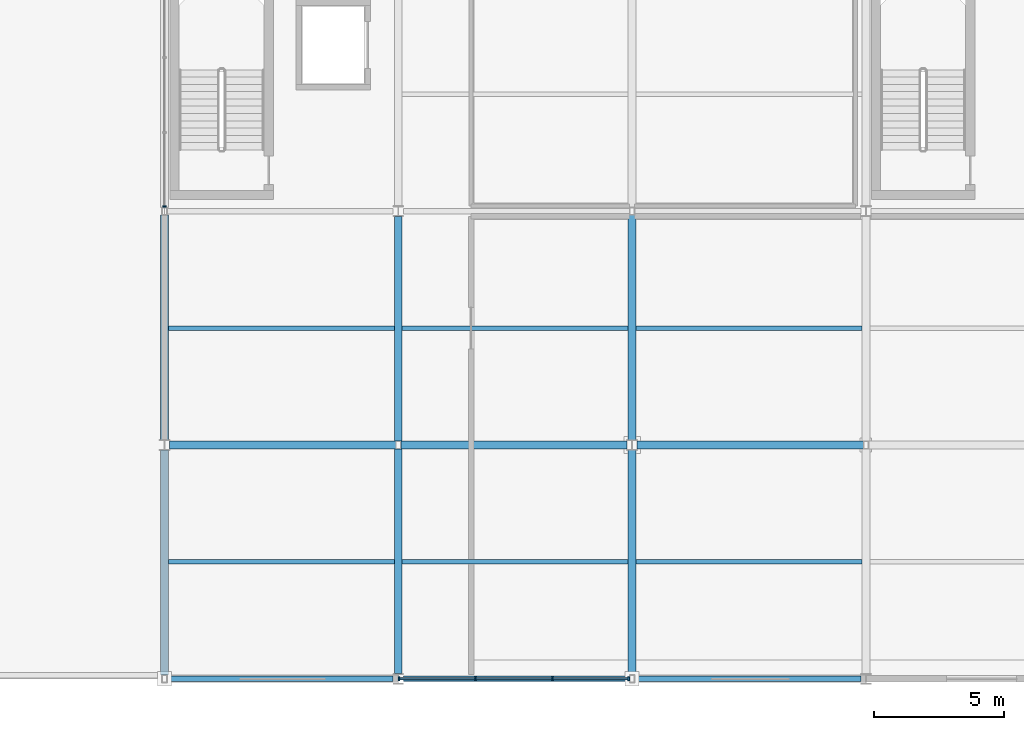
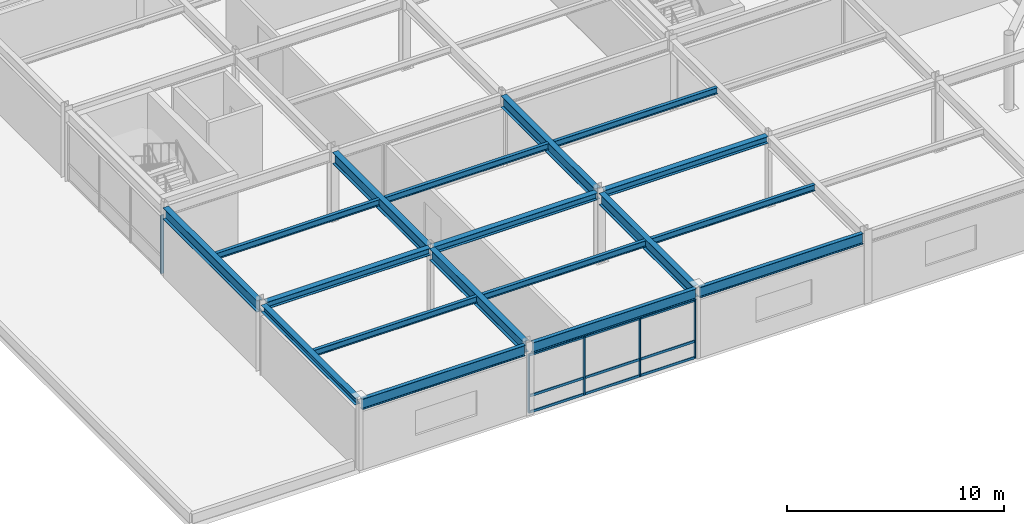
# One storey, part 49 of 105: 18 beams, 14 members, 2 elements without a shape of their own.
"""IFC4 building model written with IfcOpenShell, lengths in metres."""

from ifc_helpers import new_model, si_unit, direction, frame, origin, origin_2d, place, context, subcontext, project, spatial, rectangle, i_section, extrude, material, material_profile, profile_set, type_object, element, aggregate, save


model = new_model("IFC4")

# Units and contexts
model_context = context("Model", 3, precision=1e-05, world=origin(), true_north=direction((0.0, 1.0)))
body_context = subcontext(model_context, "Body", "Model", "MODEL_VIEW")
ifc_project = project(units=[si_unit("LENGTHUNIT", "METRE"), si_unit("AREAUNIT", "SQUARE_METRE"), si_unit("VOLUMEUNIT", "CUBIC_METRE"), si_unit("PLANEANGLEUNIT", "RADIAN"), si_unit("MASSUNIT", "GRAM", prefix="KILO")], contexts=[model_context])

# Site, building, storey
site_placement = place(None, origin())
site = spatial("IfcSite", under=ifc_project, at=site_placement, CompositionType="ELEMENT")
building_placement = place(site_placement, origin())
building = spatial("IfcBuilding", under=site, at=building_placement, Name="Suzunagisa Mobility Hub", CompositionType="ELEMENT")
storey_placement = place(building_placement, frame((0.0, 0.0, 5.10009765625)))
storey = spatial("IfcBuildingStorey", under=building, at=storey_placement, Name="L01", CompositionType="ELEMENT", Elevation=5.10009765625)

# Curtain wall, members
ifc_material_1 = material(Name="Thermally Broken Anodized Aluminum and Low-E Glazing", Category="aluminium")
curtain_wall_type_1 = type_object("IfcCurtainWallType", Name="Unitised Curtain Wall CW-11 9000x3300", PredefinedType="USERDEFINED", material=ifc_material_1)
curtain_wall_1_placement = place(storey_placement, origin())
curtain_wall_1 = element("IfcCurtainWall", 1, at=curtain_wall_1_placement, inside=storey, type_object=curtain_wall_type_1, Name="L01 Unitised Curtain Wall CW-149", ObjectType="UNITISED CURTAIN WALL", PredefinedType="USERDEFINED")
ifc_material_2 = material(Name="Anodized Aluminum 6063-T6", Category="aluminium")
ifc_material_profile_1 = material_profile(ifc_material_2, rectangle(XDim=0.06494140625, YDim=0.139892578125, at=origin_2d()), Name="TRAN-65x140")
ifc_profile_set_1 = profile_set([ifc_material_profile_1], Name="Anodized Aluminum 6063-T6")
member_type_1 = type_object("IfcMemberType", Name="Curtain Wall Framing CM-01 TRAN-65x140", PredefinedType="USERDEFINED", material=ifc_profile_set_1)
member_1_placement = place(storey_placement, frame((144.0625, 0.0, 0.032470703125), z_axis=(1.0, 0.0, 0.0), x_axis=(0.0, 1.0, 0.0)))
member_1 = element("IfcMember", 2, at=member_1_placement, type_object=member_type_1, Name="Curtain Wall Transom 149-T1.1", ObjectType="TRANSOM", PredefinedType="USERDEFINED", context=body_context, shape_type="SweptSolid", body=[
    extrude(rectangle(XDim=0.06494140625, YDim=0.139892578125, at=origin_2d()), origin(), (0.0, 0.0, 1.0), 2.879150390625),
])
member_2_placement = place(storey_placement, frame((144.0625, 0.0, 0.949951171875), z_axis=(1.0, 0.0, 0.0), x_axis=(0.0, 1.0, 0.0)))
member_2 = element("IfcMember", 3, at=member_2_placement, type_object=member_type_1, Name="Curtain Wall Transom 149-T1.2", ObjectType="TRANSOM", PredefinedType="USERDEFINED", context=body_context, shape_type="SweptSolid", body=[
    extrude(rectangle(XDim=0.06494140625, YDim=0.139892578125, at=origin_2d()), origin(), (0.0, 0.0, 1.0), 2.879150390625),
])
member_3_placement = place(storey_placement, frame((144.0625, 0.0, 3.25732421875), z_axis=(1.0, 0.0, 0.0), x_axis=(0.0, 1.0, 0.0)))
member_3 = element("IfcMember", 4, at=member_3_placement, type_object=member_type_1, Name="Curtain Wall Transom 149-T1.3", ObjectType="TRANSOM", PredefinedType="USERDEFINED", context=body_context, shape_type="SweptSolid", body=[
    extrude(rectangle(XDim=0.06494140625, YDim=0.139892578125, at=origin_2d()), origin(), (0.0, 0.0, 1.0), 2.879150390625),
])
member_4_placement = place(storey_placement, frame((146.997802734375, 0.0, 0.032470703125), z_axis=(1.0, 0.0, 0.0), x_axis=(0.0, 1.0, 0.0)))
member_4 = element("IfcMember", 5, at=member_4_placement, type_object=member_type_1, Name="Curtain Wall Transom 149-T2.1", ObjectType="TRANSOM", PredefinedType="USERDEFINED", context=body_context, shape_type="SweptSolid", body=[
    extrude(rectangle(XDim=0.06494140625, YDim=0.139892578125, at=origin_2d()), origin(), (0.0, 0.0, 1.0), 2.908935546875),
])
member_5_placement = place(storey_placement, frame((146.997802734375, 0.0, 0.949951171875), z_axis=(1.0, 0.0, 0.0), x_axis=(0.0, 1.0, 0.0)))
member_5 = element("IfcMember", 6, at=member_5_placement, type_object=member_type_1, Name="Curtain Wall Transom 149-T2.2", ObjectType="TRANSOM", PredefinedType="USERDEFINED", context=body_context, shape_type="SweptSolid", body=[
    extrude(rectangle(XDim=0.06494140625, YDim=0.139892578125, at=origin_2d()), origin(), (0.0, 0.0, 1.0), 2.908935546875),
])
member_6_placement = place(storey_placement, frame((146.997802734375, 0.0, 3.25732421875), z_axis=(1.0, 0.0, 0.0), x_axis=(0.0, 1.0, 0.0)))
member_6 = element("IfcMember", 7, at=member_6_placement, type_object=member_type_1, Name="Curtain Wall Transom 149-T2.3", ObjectType="TRANSOM", PredefinedType="USERDEFINED", context=body_context, shape_type="SweptSolid", body=[
    extrude(rectangle(XDim=0.06494140625, YDim=0.139892578125, at=origin_2d()), origin(), (0.0, 0.0, 1.0), 2.908935546875),
])
member_7_placement = place(storey_placement, frame((149.962890625, 0.0, 0.032470703125), z_axis=(1.0, 0.0, 0.0), x_axis=(0.0, 1.0, 0.0)))
member_7 = element("IfcMember", 8, at=member_7_placement, type_object=member_type_1, Name="Curtain Wall Transom 149-T3.1", ObjectType="TRANSOM", PredefinedType="USERDEFINED", context=body_context, shape_type="SweptSolid", body=[
    extrude(rectangle(XDim=0.06494140625, YDim=0.139892578125, at=origin_2d()), origin(), (0.0, 0.0, 1.0), 2.879150390625),
])
member_8_placement = place(storey_placement, frame((149.962890625, 0.0, 0.949951171875), z_axis=(1.0, 0.0, 0.0), x_axis=(0.0, 1.0, 0.0)))
member_8 = element("IfcMember", 9, at=member_8_placement, type_object=member_type_1, Name="Curtain Wall Transom 149-T3.2", ObjectType="TRANSOM", PredefinedType="USERDEFINED", context=body_context, shape_type="SweptSolid", body=[
    extrude(rectangle(XDim=0.06494140625, YDim=0.139892578125, at=origin_2d()), origin(), (0.0, 0.0, 1.0), 2.879150390625),
])
member_9_placement = place(storey_placement, frame((149.962890625, 0.0, 3.25732421875), z_axis=(1.0, 0.0, 0.0), x_axis=(0.0, 1.0, 0.0)))
member_9 = element("IfcMember", 10, at=member_9_placement, type_object=member_type_1, Name="Curtain Wall Transom 149-T3.3", ObjectType="TRANSOM", PredefinedType="USERDEFINED", context=body_context, shape_type="SweptSolid", body=[
    extrude(rectangle(XDim=0.06494140625, YDim=0.139892578125, at=origin_2d()), origin(), (0.0, 0.0, 1.0), 2.879150390625),
])
ifc_material_profile_2 = material_profile(ifc_material_2, rectangle(XDim=0.06005859375, YDim=0.14990234375, at=origin_2d()), Name="MULL-60x150")
ifc_profile_set_2 = profile_set([ifc_material_profile_2], Name="Anodized Aluminum 6063-T6")
member_type_2 = type_object("IfcMemberType", Name="Curtain Wall Framing CM-03 MULL-60x150", PredefinedType="MULLION", material=ifc_profile_set_2)
member_10_placement = place(storey_placement, frame((144.034423828125, 0.0, 0.0), z_axis=(0.0, 0.0, 1.0), x_axis=(1.0, 0.0, 0.0)))
member_10 = element("IfcMember", 11, at=member_10_placement, type_object=member_type_2, Name="Curtain Wall Mullion 149-M1", PredefinedType="MULLION", context=body_context, shape_type="SweptSolid", body=[
    extrude(rectangle(XDim=0.06005859375, YDim=0.14990234375, at=origin_2d()), origin(), (0.0, 0.0, 1.0), 3.289794921875),
])
member_11_placement = place(storey_placement, frame((146.9697265625, 0.0, 0.0), z_axis=(0.0, 0.0, 1.0), x_axis=(1.0, 0.0, 0.0)))
member_11 = element("IfcMember", 12, at=member_11_placement, type_object=member_type_2, Name="Curtain Wall Mullion 149-M2", PredefinedType="MULLION", context=body_context, shape_type="SweptSolid", body=[
    extrude(rectangle(XDim=0.06005859375, YDim=0.14990234375, at=origin_2d()), origin(), (0.0, 0.0, 1.0), 3.289794921875),
])
member_12_placement = place(storey_placement, frame((149.934814453125, 0.0, 0.0), z_axis=(0.0, 0.0, 1.0), x_axis=(1.0, 0.0, 0.0)))
member_12 = element("IfcMember", 13, at=member_12_placement, type_object=member_type_2, Name="Curtain Wall Mullion 149-M3", PredefinedType="MULLION", context=body_context, shape_type="SweptSolid", body=[
    extrude(rectangle(XDim=0.06005859375, YDim=0.14990234375, at=origin_2d()), origin(), (0.0, 0.0, 1.0), 3.289794921875),
])
member_13_placement = place(storey_placement, frame((152.8701171875, 0.0, 0.0), z_axis=(0.0, 0.0, 1.0), x_axis=(1.0, 0.0, 0.0)))
member_13 = element("IfcMember", 14, at=member_13_placement, type_object=member_type_2, Name="Curtain Wall Mullion 149-M4", PredefinedType="MULLION", context=body_context, shape_type="SweptSolid", body=[
    extrude(rectangle(XDim=0.06005859375, YDim=0.14990234375, at=origin_2d()), origin(), (0.0, 0.0, 1.0), 3.289794921875),
])
aggregate(curtain_wall_1, [member_10, member_11, member_12, member_13, member_1, member_2, member_3, member_4, member_5, member_6, member_7, member_8, member_9])

# Curtain wall, member
curtain_wall_type_2 = type_object("IfcCurtainWallType", Name="Unitised Curtain Wall CW-12 8750x3300", PredefinedType="USERDEFINED", material=ifc_material_1)
curtain_wall_2_placement = place(storey_placement, origin())
curtain_wall_2 = element("IfcCurtainWall", 15, at=curtain_wall_2_placement, inside=storey, type_object=curtain_wall_type_2, Name="L01 Unitised Curtain Wall CW-154", ObjectType="UNITISED CURTAIN WALL", PredefinedType="USERDEFINED")
member_14_placement = place(storey_placement, frame((135.0, 18.179931640625, 0.0), z_axis=(0.0, 0.0, 1.0), x_axis=(0.0, -1.0, 0.0)))
member_14 = element("IfcMember", 16, at=member_14_placement, type_object=member_type_2, Name="Curtain Wall Mullion 154-M4", PredefinedType="MULLION", context=body_context, shape_type="SweptSolid", body=[
    extrude(rectangle(XDim=0.06005859375, YDim=0.14990234375, at=origin_2d()), origin(), (0.0, 0.0, 1.0), 3.289794921875),
])
aggregate(curtain_wall_2, [member_14])

# Beams
ifc_material_3 = material(Name="Steel SN400B", Category="steel")
ifc_material_profile_3 = material_profile(ifc_material_3, i_section(OverallWidth=0.175048828125, OverallDepth=0.35009765625, WebThickness=0.007080078125, FlangeThickness=0.010986328125, FilletRadius=0.008056640625, at=origin_2d()), Name="H-350x175x7x11")
ifc_profile_set_3 = profile_set([ifc_material_profile_3], Name="Steel SN400B")
beam_type_1 = type_object("IfcBeamType", Name="Steel Beam BM-03 H-350x175x7x11", PredefinedType="JOIST", material=ifc_profile_set_3)
for number, where, z_axis, x_axis, name in (
    (17, (135.14990234375, 13.5, 3.77490234375), (1.0, 0.0, 0.0), (0.0, 1.0, 0.0), "L01 Composite Floor Joist J-1507"),
    (18, (144.14990234375, 13.5, 3.77490234375), (1.0, 0.0, 0.0), (0.0, 1.0, 0.0), "L01 Composite Floor Joist J-1509"),
    (19, (153.14990234375, 13.5, 3.77490234375), (1.0, 0.0, 0.0), (0.0, 1.0, 0.0), "L01 Composite Floor Joist J-1512"),
    (20, (135.14990234375, 4.5, 3.764892578125), (1.0, 0.0, 0.0), (0.0, 1.0, 0.0), "L01 Composite Floor Joist J-1531"),
    (21, (144.14990234375, 4.5, 3.764892578125), (1.0, 0.0, 0.0), (0.0, 1.0, 0.0), "L01 Composite Floor Joist J-1532"),
    (22, (153.14990234375, 4.5, 3.764892578125), (1.0, 0.0, 0.0), (0.0, 1.0, 0.0), "L01 Composite Floor Joist J-1533"),
):
    element("IfcBeam", number, at=place(storey_placement, frame(where, z_axis=z_axis, x_axis=x_axis)), inside=storey, type_object=beam_type_1, Name=name, PredefinedType="JOIST", context=body_context, shape_type="SweptSolid", body=[
        extrude(i_section(OverallWidth=0.175048828125, OverallDepth=0.35009765625, WebThickness=0.007080078125, FlangeThickness=0.010986328125, FilletRadius=0.008056640625, at=origin_2d()), origin(), (0.0, 0.0, 1.0), 8.7001953125),
    ])
ifc_material_4 = material(Name="Steel SN490B", Category="steel")
ifc_material_profile_4 = material_profile(ifc_material_4, i_section(OverallWidth=0.199951171875, OverallDepth=0.60009765625, WebThickness=0.010986328125, FlangeThickness=0.01708984375, FilletRadius=0.012939453125, at=origin_2d()), Name="H-600x200x11x17")
ifc_profile_set_4 = profile_set([ifc_material_profile_4], Name="Steel SN490B")
beam_type_2 = type_object("IfcBeamType", Name="Steel Beam BM-07 H-600x200x11x17", PredefinedType="BEAM", material=ifc_profile_set_4)
for number, where, z_axis, x_axis, name in (
    (23, (135.095947265625, 0.0, 3.639892578125), (1.0, 0.0, 0.0), (0.0, 1.0, 0.0), "L01 Primary Girder GX-1519"),
    (24, (144.196044921875, 0.0, 3.639892578125), (1.0, 0.0, 0.0), (0.0, 1.0, 0.0), "L01 Primary Girder GX-1520"),
    (25, (153.095947265625, 0.0, 3.639892578125), (1.0, 0.0, 0.0), (0.0, 1.0, 0.0), "L01 Primary Girder GX-1521"),
):
    element("IfcBeam", number, at=place(storey_placement, frame(where, z_axis=z_axis, x_axis=x_axis)), inside=storey, type_object=beam_type_2, Name=name, PredefinedType="BEAM", context=body_context, shape_type="SweptSolid", body=[
        extrude(i_section(OverallWidth=0.199951171875, OverallDepth=0.60009765625, WebThickness=0.010986328125, FlangeThickness=0.01708984375, FilletRadius=0.012939453125, at=origin_2d()), origin(), (0.0, 0.0, 1.0), 8.7080078125),
    ])
ifc_material_profile_5 = material_profile(ifc_material_4, i_section(OverallWidth=0.300048828125, OverallDepth=0.64990234375, WebThickness=0.012939453125, FlangeThickness=0.02197265625, FilletRadius=0.01611328125, at=origin_2d()), Name="H-650x300x13x22")
ifc_profile_set_5 = profile_set([ifc_material_profile_5], Name="Steel SN490B")
beam_type_3 = type_object("IfcBeamType", Name="Steel Beam BM-10 H-650x300x13x22", PredefinedType="BEAM", material=ifc_profile_set_5)
for number, where, z_axis, x_axis, name in (
    (26, (135.0, 9.196044921875, 3.614990234375), (0.0, 1.0, 0.0), (-1.0, 0.0, 0.0), "L01 Primary Girder GY-1489"),
    (27, (144.0, 9.14599609375, 3.614990234375), (0.0, 1.0, 0.0), (-1.0, 0.0, 0.0), "L01 Primary Girder GY-1492"),
    (28, (153.0, 9.196044921875, 3.614990234375), (0.0, 1.0, 0.0), (-1.0, 0.0, 0.0), "L01 Primary Girder GY-1495"),
    (29, (144.0, 0.196044921875, 3.614990234375), (0.0, 1.0, 0.0), (-1.0, 0.0, 0.0), "L01 Primary Girder GY-1525"),
    (30, (153.0, 0.14599609375, 3.614990234375), (0.0, 1.0, 0.0), (-1.0, 0.0, 0.0), "L01 Primary Girder GY-1526"),
):
    element("IfcBeam", number, at=place(storey_placement, frame(where, z_axis=z_axis, x_axis=x_axis)), inside=storey, type_object=beam_type_3, Name=name, PredefinedType="BEAM", context=body_context, shape_type="SweptSolid", body=[
        extrude(i_section(OverallWidth=0.300048828125, OverallDepth=0.64990234375, WebThickness=0.012939453125, FlangeThickness=0.02197265625, FilletRadius=0.01611328125, at=origin_2d()), origin(), (0.0, 0.0, 1.0), 8.657958984375),
    ])
ifc_material_profile_6 = material_profile(ifc_material_4, i_section(OverallWidth=0.300048828125, OverallDepth=0.389892578125, WebThickness=0.010009765625, FlangeThickness=0.01611328125, FilletRadius=0.012939453125, at=origin_2d()), Name="H-390x300x10x16")
ifc_profile_set_6 = profile_set([ifc_material_profile_6], Name="Steel SN490B")
beam_type_4 = type_object("IfcBeamType", Name="Steel Beam BM-13 H-390x300x10x16", PredefinedType="SPANDREL", material=ifc_profile_set_6)
for number, where, z_axis, x_axis, name in (
    (31, (135.196044921875, 9.0, 3.744873046875), (1.0, 0.0, 0.0), (0.0, 1.0, 0.0), "L01 Primary Girder GX-1470"),
    (32, (144.095947265625, 9.0, 3.744873046875), (1.0, 0.0, 0.0), (0.0, 1.0, 0.0), "L01 Primary Girder GX-1471"),
    (33, (153.196044921875, 9.0, 3.744873046875), (1.0, 0.0, 0.0), (0.0, 1.0, 0.0), "L01 Primary Girder GX-1472"),
):
    element("IfcBeam", number, at=place(storey_placement, frame(where, z_axis=z_axis, x_axis=x_axis)), inside=storey, type_object=beam_type_4, Name=name, PredefinedType="SPANDREL", context=body_context, shape_type="SweptSolid", body=[
        extrude(i_section(OverallWidth=0.300048828125, OverallDepth=0.389892578125, WebThickness=0.010009765625, FlangeThickness=0.01611328125, FilletRadius=0.012939453125, at=origin_2d()), origin(), (0.0, 0.0, 1.0), 8.7080078125),
    ])
beam_placement = place(storey_placement, frame((135.0, 0.14599609375, 3.744873046875), z_axis=(0.0, 1.0, 0.0), x_axis=(-1.0, 0.0, 0.0)))
element("IfcBeam", 34, at=beam_placement, inside=storey, type_object=beam_type_4, Name="L01 Primary Girder GY-1524", PredefinedType="SPANDREL", context=body_context, shape_type="SweptSolid", body=[
    extrude(i_section(OverallWidth=0.300048828125, OverallDepth=0.389892578125, WebThickness=0.010009765625, FlangeThickness=0.01611328125, FilletRadius=0.012939453125, at=origin_2d()), origin(), (0.0, 0.0, 1.0), 8.657958984375),
])

save(model, "model.ifc")
